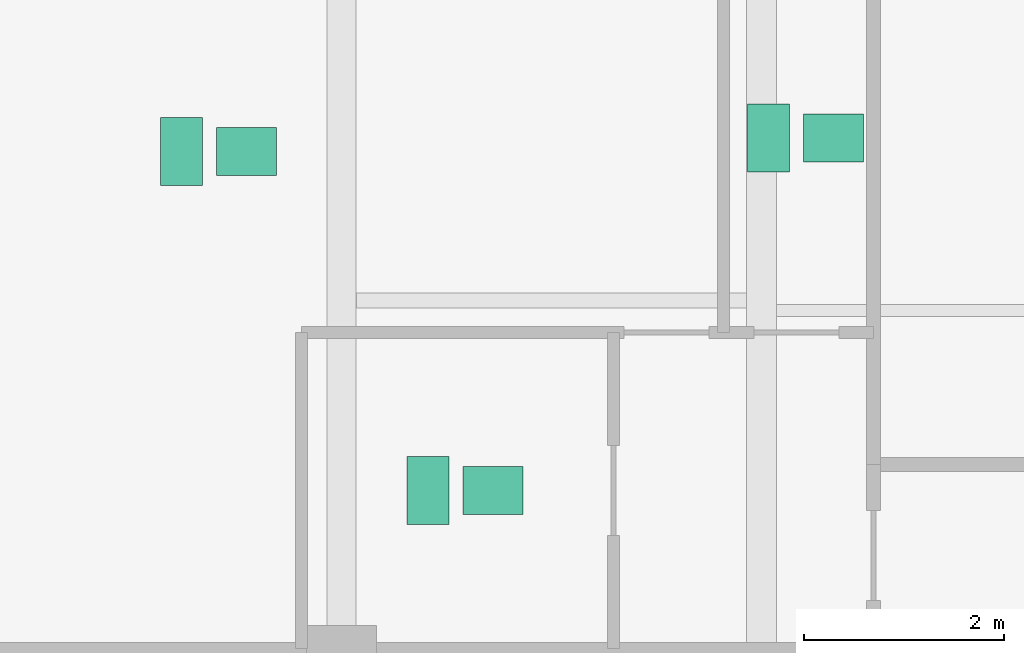
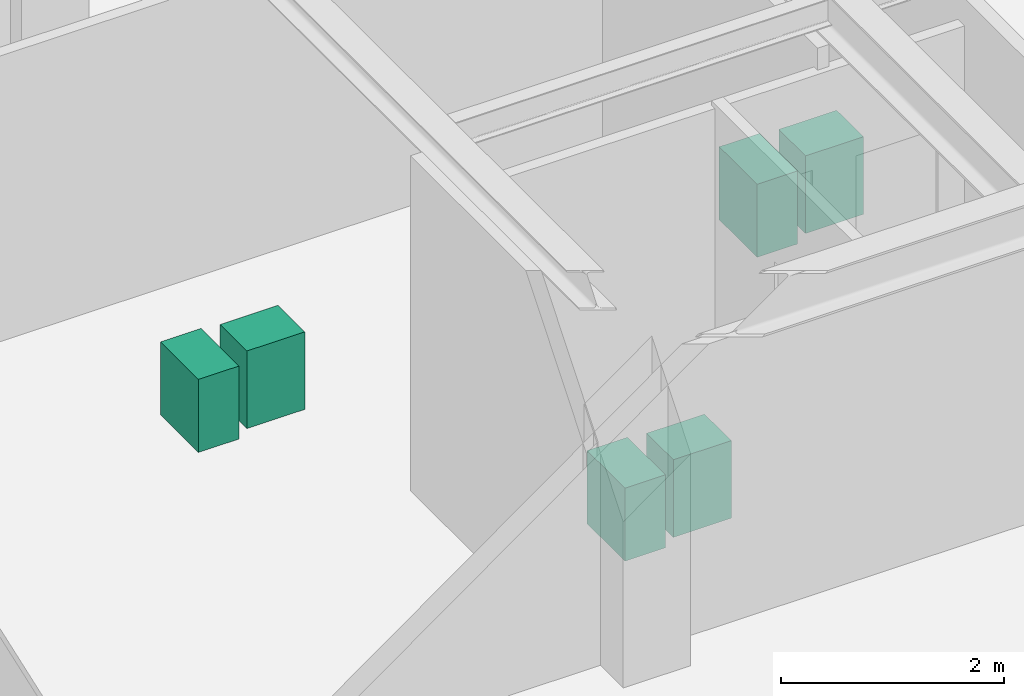
# One storey, part 21 of 21: 6 sanitary terminals.
"""IFC4 building model written with IfcOpenShell, lengths in metres."""

from ifc_helpers import new_model, si_unit, direction, frame, origin, origin_2d, place, context, subcontext, project, spatial, rectangle, extrude, source, transform, mapped, material, type_object, type_shapes, element, save


model = new_model("IFC4")

# Units and contexts
model_context = context("Model", 3, precision=1e-05, world=origin(), true_north=direction((0.0, 1.0)))
body_context = subcontext(model_context, "Body", "Model", "MODEL_VIEW")
ifc_project = project(units=[si_unit("LENGTHUNIT", "METRE"), si_unit("AREAUNIT", "SQUARE_METRE"), si_unit("VOLUMEUNIT", "CUBIC_METRE"), si_unit("PLANEANGLEUNIT", "RADIAN"), si_unit("MASSUNIT", "GRAM", prefix="KILO")], contexts=[model_context])

# Site, building, storey
site_placement = place(None, origin())
site = spatial("IfcSite", under=ifc_project, at=site_placement, CompositionType="ELEMENT")
building_placement = place(site_placement, origin())
building = spatial("IfcBuilding", under=site, at=building_placement, Name="Krantzveldt Concourse Tower", CompositionType="ELEMENT")
storey_placement = place(building_placement, frame((0.0, 0.0, 339.550048828125)))
storey = spatial("IfcBuildingStorey", under=building, at=storey_placement, Name="L83", CompositionType="ELEMENT", Elevation=339.550048828125)

# Sanitary terminals
ifc_material = material(Name="Vitreous china", Category="ceramic")
sanitary_terminal_type_1 = type_object("IfcSanitaryTerminalType", Name="SAN-WC-SUITE", PredefinedType="TOILETPAN", material=ifc_material)
shared_shape_1 = source(origin(), body_context, "Body", "SweptSolid", [
    extrude(rectangle(XDim=0.419921875, YDim=0.679931640625, at=origin_2d()), origin(), (0.0, 0.0, 1.0), 0.800048828125),
])
type_shapes(sanitary_terminal_type_1, [shared_shape_1])
for number, where, z_axis, x_axis, name in (
    (1, (19.401123046875, 31.78857421875, 0.0), (0.0, 0.0, 1.0), (1.0, 0.0, 0.0), "WC-SP-L83-WCM"),
    (2, (25.27001953125, 31.925048828125, 0.0), (0.0, 0.0, 1.0), (1.0, 0.0, 0.0), "WC-SP-L83-WCF"),
    (3, (21.864990234375, 28.39990234375, 0.0), (0.0, 0.0, 1.0), (1.0, 0.0, 0.0), "WC-SP-L83-WCA"),
):
    element("IfcSanitaryTerminal", number, at=place(storey_placement, frame(where, z_axis=z_axis, x_axis=x_axis)), inside=storey, type_object=sanitary_terminal_type_1, Name=name, PredefinedType="TOILETPAN", context=body_context, shape_type="MappedRepresentation", body=[
        mapped(shared_shape_1, transform((0.0, 0.0, 0.0), x_axis=(1.0, 0.0, 0.0), y_axis=(0.0, 1.0, 0.0), z_axis=(0.0, 0.0, 1.0), scale=1.0)),
    ])
sanitary_terminal_type_2 = type_object("IfcSanitaryTerminalType", Name="SAN-BASIN-600", PredefinedType="WASHHANDBASIN", material=ifc_material)
shared_shape_2 = source(origin(), body_context, "Body", "SweptSolid", [
    extrude(rectangle(XDim=0.60009765625, YDim=0.47998046875, at=origin_2d()), origin(), (0.0, 0.0, 1.0), 0.85009765625),
])
type_shapes(sanitary_terminal_type_2, [shared_shape_2])
for number, where, z_axis, x_axis, name in (
    (4, (20.05126953125, 31.78857421875, 0.0048828125), (0.0, 0.0, 1.0), (1.0, 0.0, 0.0), "BSN-SP-L83-WCM"),
    (5, (25.919921875, 31.925048828125, 0.0048828125), (0.0, 0.0, 1.0), (1.0, 0.0, 0.0), "BSN-SP-L83-WCF"),
    (6, (22.514892578125, 28.39990234375, 0.0048828125), (0.0, 0.0, 1.0), (1.0, 0.0, 0.0), "BSN-SP-L83-WCA"),
):
    element("IfcSanitaryTerminal", number, at=place(storey_placement, frame(where, z_axis=z_axis, x_axis=x_axis)), inside=storey, type_object=sanitary_terminal_type_2, Name=name, PredefinedType="WASHHANDBASIN", context=body_context, shape_type="MappedRepresentation", body=[
        mapped(shared_shape_2, transform((0.0, 0.0, 0.0), x_axis=(1.0, 0.0, 0.0), y_axis=(0.0, 1.0, 0.0), z_axis=(0.0, 0.0, 1.0), scale=1.0)),
    ])

save(model, "model.ifc")
